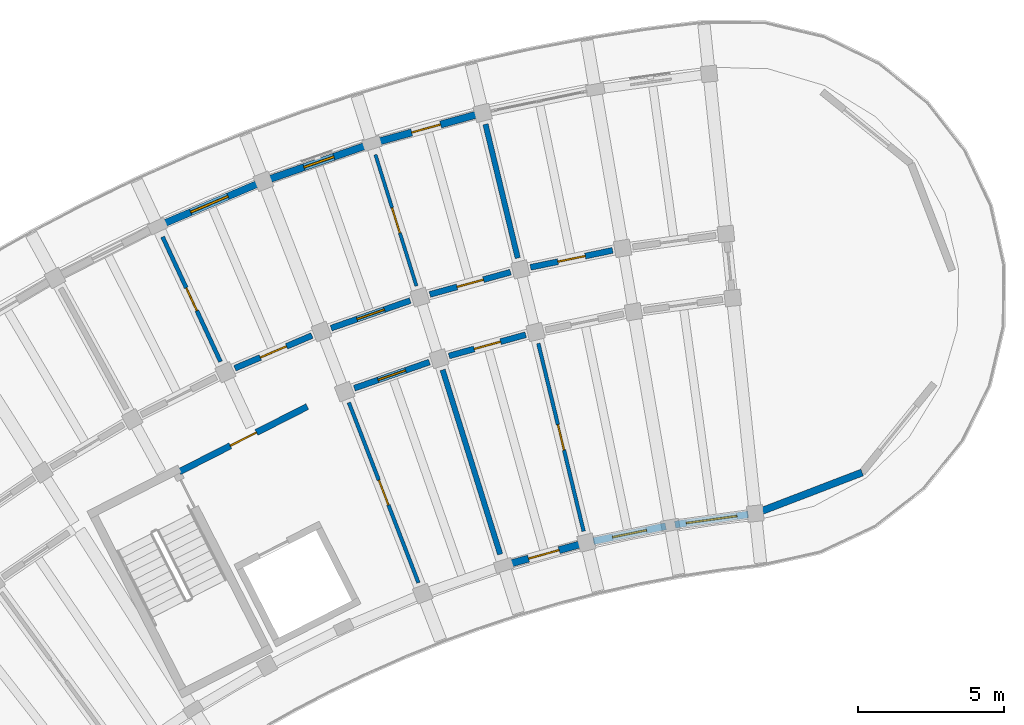
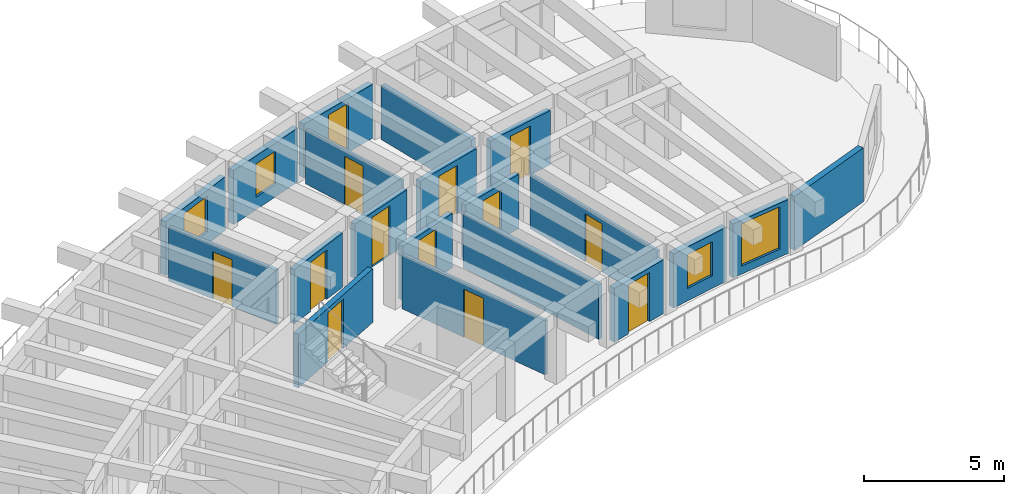
# One storey, part 49 of 81: 20 walls, 13 doors, 4 windows, 17 openings.
"""IFC4 building model written with IfcOpenShell, lengths in metres."""

from ifc_helpers import new_model, si_unit, direction, frame, frame_2d, origin, place, context, subcontext, project, spatial, rectangle, extrude, material, layer, layer_set, type_object, element, fill, save


model = new_model("IFC4")

# Units and contexts
model_context = context("Model", 3, precision=1e-05, world=origin(), true_north=direction((0.0, 1.0)))
body_context = subcontext(model_context, "Body", "Model", "MODEL_VIEW")
ifc_project = project(units=[si_unit("LENGTHUNIT", "METRE"), si_unit("AREAUNIT", "SQUARE_METRE"), si_unit("VOLUMEUNIT", "CUBIC_METRE"), si_unit("PLANEANGLEUNIT", "RADIAN"), si_unit("MASSUNIT", "GRAM", prefix="KILO")], contexts=[model_context])

# Site, building, storey
site_placement = place(None, origin())
site = spatial("IfcSite", under=ifc_project, at=site_placement, CompositionType="ELEMENT")
building_placement = place(site_placement, origin())
building = spatial("IfcBuilding", under=site, at=building_placement, Name="Tanwirah Colonnade Gardens", CompositionType="ELEMENT")
storey_placement = place(building_placement, frame((0.0, 0.0, 18.919921875)))
storey = spatial("IfcBuildingStorey", under=building, at=storey_placement, Name="L05", CompositionType="ELEMENT", Elevation=18.919921875)

# Wall, opening, window
ifc_material_1 = material(Name="Limestone architectural precast concrete C40/50", Category="masonry")
ifc_layer_1 = layer(ifc_material_1, 0.2451171875)
ifc_layer_set_1 = layer_set([ifc_layer_1], Name="Limestone architectural precast concrete C40/50")
wall_type_1 = type_object("IfcWallType", Name="EW-PC245", PredefinedType="SOLIDWALL", material=ifc_layer_set_1)
wall_1_placement = place(storey_placement, frame((60.111083984375, 104.372802734375, 0.0), z_axis=(0.0, 0.0, 1.0), x_axis=(-0.990545622952, -0.13718370476, 0.0)))
wall_1 = element("IfcWall", 1, at=wall_1_placement, inside=storey, type_object=wall_type_1, Name="Block A L05 IN Precast Facade Wall 0", PredefinedType="SOLIDWALL", context=body_context, shape_type="SweptSolid", body=[
    extrude(rectangle(XDim=2.525390625, YDim=0.2451171875, at=frame_2d((1.2626953125, 0.0))), origin(), (0.0, 0.0, 1.0), 2.35498046875),
])
opening_1_placement = place(wall_1_placement, frame((0.3876953125, 0.0, 0.35009765625)))
opening_1 = element("IfcOpeningElement", 2, at=opening_1_placement, cuts=wall_1, Name="Opening WIN-T13", PredefinedType="OPENING", context=body_context, shape_type="SweptSolid", body=[
    extrude(rectangle(XDim=1.75, YDim=1.85009765625, at=frame_2d((0.875, 0.925048828125))), frame((0.0, 0.132568359375, 0.0), z_axis=(0.0, -1.0, 0.0), x_axis=(1.0, 0.0, 0.0)), (0.0, 0.0, 1.0), 0.26513671875),
])
ifc_material_2 = material(Name="Thermally broken bronze aluminium and solar low-E double glazing", Category="aluminium")
window_type_1 = type_object("IfcWindowType", Name="WIN-T13", PartitioningType="TRIPLE_PANEL_VERTICAL", PredefinedType="WINDOW", material=ifc_material_2)
window_1_placement = place(opening_1_placement, origin())
window_1 = element("IfcWindow", 3, at=window_1_placement, inside=storey, type_object=window_type_1, Name="Facade window A-L05-IN-00", OverallHeight=1.85009765625, OverallWidth=1.75, PartitioningType="SINGLE_PANEL", PredefinedType="WINDOW", context=body_context, shape_type="SweptSolid", body=[
    extrude(rectangle(XDim=1.75, YDim=1.85009765625, at=frame_2d((0.875, 0.925048828125))), frame((0.0, 0.030029296875, 0.0), z_axis=(0.0, -1.0, 0.0), x_axis=(1.0, 0.0, 0.0)), (0.0, 0.0, 1.0), 0.06005859375),
])
fill(opening_1, window_1)

wall_2_placement = place(storey_placement, frame((57.29443359375, 103.971923828125, 0.0), z_axis=(0.0, 0.0, 1.0), x_axis=(-0.979334432394, -0.20224754517, 0.0)))
wall_2 = element("IfcWall", 4, at=wall_2_placement, inside=storey, type_object=wall_type_1, Name="Block A L05 IN Precast Facade Wall 1", PredefinedType="SOLIDWALL", context=body_context, shape_type="SweptSolid", body=[
    extrude(rectangle(XDim=2.525390625, YDim=0.2451171875, at=frame_2d((1.2626953125, 0.0))), origin(), (0.0, 0.0, 1.0), 2.35498046875),
])
opening_2_placement = place(wall_2_placement, frame((0.672607421875, 0.0, 0.550048828125)))
opening_2 = element("IfcOpeningElement", 5, at=opening_2_placement, cuts=wall_2, Name="Opening WIN-T16", PredefinedType="OPENING", context=body_context, shape_type="SweptSolid", body=[
    extrude(rectangle(XDim=1.179931640625, YDim=1.47998046875, at=frame_2d((0.58984375, 0.739990234375))), frame((0.0, 0.132568359375, 0.0), z_axis=(0.0, -1.0, 0.0), x_axis=(1.0, 0.0, 0.0)), (0.0, 0.0, 1.0), 0.26513671875),
])
window_type_2 = type_object("IfcWindowType", Name="WIN-T16", PartitioningType="SINGLE_PANEL", PredefinedType="WINDOW", material=ifc_material_2)
window_2_placement = place(opening_2_placement, origin())
window_2 = element("IfcWindow", 6, at=window_2_placement, inside=storey, type_object=window_type_2, Name="Facade window A-L05-IN-01", OverallHeight=1.47998046875, OverallWidth=1.179931640625, PartitioningType="SINGLE_PANEL", PredefinedType="WINDOW", context=body_context, shape_type="SweptSolid", body=[
    extrude(rectangle(XDim=1.179931640625, YDim=1.47998046875, at=frame_2d((0.58984375, 0.739990234375))), frame((0.0, 0.030029296875, 0.0), z_axis=(0.0, -1.0, 0.0), x_axis=(1.0, 0.0, 0.0)), (0.0, 0.0, 1.0), 0.06005859375),
])
fill(opening_2, window_2)

# Wall, opening, door
wall_3_placement = place(storey_placement, frame((50.80615234375, 118.02587890625, 0.0), z_axis=(0.0, 0.0, 1.0), x_axis=(-0.963899390209, -0.266266718826, 0.0)))
wall_3 = element("IfcWall", 7, at=wall_3_placement, inside=storey, type_object=wall_type_1, Name="Block A L05 OUT Precast Facade Wall 2", PredefinedType="SOLIDWALL", context=body_context, shape_type="SweptSolid", body=[
    extrude(rectangle(XDim=3.52099609375, YDim=0.2451171875, at=frame_2d((1.760498046875, 0.0))), origin(), (0.0, 0.0, 1.0), 2.35498046875),
])
opening_3_placement = place(wall_3_placement, frame((1.25048828125, 0.0, 0.0)))
opening_3 = element("IfcOpeningElement", 8, at=opening_3_placement, cuts=wall_3, Name="Opening L05-ED022", PredefinedType="OPENING", context=body_context, shape_type="SweptSolid", body=[
    extrude(rectangle(XDim=1.02001953125, YDim=2.139892578125, at=frame_2d((0.510009765625, 1.06982421875))), frame((0.0, 0.132568359375, 0.0), z_axis=(0.0, -1.0, 0.0), x_axis=(1.0, 0.0, 0.0)), (0.0, 0.0, 1.0), 0.26513671875),
])
ifc_material_3 = material(Name="Bronze aluminium glazed balcony door", Category="aluminium")
door_type_1 = type_object("IfcDoorType", Name="ED-BAL102", OperationType="NOTDEFINED", PredefinedType="DOOR", material=ifc_material_3)
door_1_placement = place(opening_3_placement, origin())
door_1 = element("IfcDoor", 9, at=door_1_placement, inside=storey, type_object=door_type_1, Name="Balcony glazed door L05-ED022", OperationType="SINGLE_SWING_RIGHT", OverallHeight=2.139892578125, OverallWidth=1.02001953125, PredefinedType="DOOR", context=body_context, shape_type="SweptSolid", body=[
    extrude(rectangle(XDim=1.02001953125, YDim=2.139892578125, at=frame_2d((0.510009765625, 1.06982421875))), frame((0.0, 0.02490234375, 0.0), z_axis=(0.0, -1.0, 0.0), x_axis=(1.0, 0.0, 0.0)), (0.0, 0.0, 1.0), 0.050048828125),
])
fill(opening_3, door_1)

wall_4_placement = place(storey_placement, frame((54.34521484375, 103.346435546875, 0.0), z_axis=(0.0, 0.0, 1.0), x_axis=(-0.963901971286, -0.266257375017, 0.0)))
wall_4 = element("IfcWall", 10, at=wall_4_placement, inside=storey, type_object=wall_type_1, Name="Block A L05 IN Precast Facade Wall 2", PredefinedType="SOLIDWALL", context=body_context, shape_type="SweptSolid", body=[
    extrude(rectangle(XDim=2.525146484375, YDim=0.2451171875, at=frame_2d((1.2626953125, 0.0))), origin(), (0.0, 0.0, 1.0), 2.35498046875),
])
opening_4_placement = place(wall_4_placement, frame((0.72265625, 0.0, 0.0)))
opening_4 = element("IfcOpeningElement", 11, at=opening_4_placement, cuts=wall_4, Name="Opening L05-ED023", PredefinedType="OPENING", context=body_context, shape_type="SweptSolid", body=[
    extrude(rectangle(XDim=1.080078125, YDim=2.14990234375, at=frame_2d((0.5400390625, 1.074951171875))), frame((0.0, 0.132568359375, 0.0), z_axis=(0.0, -1.0, 0.0), x_axis=(1.0, 0.0, 0.0)), (0.0, 0.0, 1.0), 0.26513671875),
])
door_type_2 = type_object("IfcDoorType", Name="ED-BAL108", OperationType="NOTDEFINED", PredefinedType="DOOR", material=ifc_material_3)
door_2_placement = place(opening_4_placement, origin())
door_2 = element("IfcDoor", 12, at=door_2_placement, inside=storey, type_object=door_type_2, Name="Balcony glazed door L05-ED023", OperationType="SINGLE_SWING_RIGHT", OverallHeight=2.14990234375, OverallWidth=1.080078125, PredefinedType="DOOR", context=body_context, shape_type="SweptSolid", body=[
    extrude(rectangle(XDim=1.080078125, YDim=2.14990234375, at=frame_2d((0.5400390625, 1.074951171875))), frame((0.0, 0.02490234375, 0.0), z_axis=(0.0, -1.0, 0.0), x_axis=(1.0, 0.0, 0.0)), (0.0, 0.0, 1.0), 0.050048828125),
])
fill(opening_4, door_2)

# Wall, opening, window
wall_5_placement = place(storey_placement, frame((47.107177734375, 116.992919921875, 0.0), z_axis=(0.0, 0.0, 1.0), x_axis=(-0.944267366677, -0.329179495455, 0.0)))
wall_5 = element("IfcWall", 13, at=wall_5_placement, inside=storey, type_object=wall_type_1, Name="Block A L05 OUT Precast Facade Wall 3", PredefinedType="SOLIDWALL", context=body_context, shape_type="SweptSolid", body=[
    extrude(rectangle(XDim=3.520751953125, YDim=0.2451171875, at=frame_2d((1.76025390625, 0.0))), origin(), (0.0, 0.0, 1.0), 2.35498046875),
])
opening_5_placement = place(wall_5_placement, frame((1.22021484375, 0.0, 0.550048828125)))
opening_5 = element("IfcOpeningElement", 14, at=opening_5_placement, cuts=wall_5, Name="Opening WIN-T15", PredefinedType="OPENING", context=body_context, shape_type="SweptSolid", body=[
    extrude(rectangle(XDim=1.080078125, YDim=1.449951171875, at=frame_2d((0.5400390625, 0.72509765625))), frame((0.0, 0.132568359375, 0.0), z_axis=(0.0, -1.0, 0.0), x_axis=(1.0, 0.0, 0.0)), (0.0, 0.0, 1.0), 0.26513671875),
])
window_type_3 = type_object("IfcWindowType", Name="WIN-T15", PartitioningType="SINGLE_PANEL", PredefinedType="WINDOW", material=ifc_material_2)
window_3_placement = place(opening_5_placement, origin())
window_3 = element("IfcWindow", 15, at=window_3_placement, inside=storey, type_object=window_type_3, Name="Facade window A-L05-OUT-03", OverallHeight=1.449951171875, OverallWidth=1.080078125, PartitioningType="SINGLE_PANEL", PredefinedType="WINDOW", context=body_context, shape_type="SweptSolid", body=[
    extrude(rectangle(XDim=1.080078125, YDim=1.449951171875, at=frame_2d((0.5400390625, 0.72509765625))), frame((0.0, 0.030029296875, 0.0), z_axis=(0.0, -1.0, 0.0), x_axis=(1.0, 0.0, 0.0)), (0.0, 0.0, 1.0), 0.06005859375),
])
fill(opening_5, window_3)

wall_6_placement = place(storey_placement, frame((43.325927734375, 115.657470703125, 0.0), z_axis=(0.0, 0.0, 1.0), x_axis=(-0.920502438884, -0.390736816807, 0.0)))
wall_6 = element("IfcWall", 16, at=wall_6_placement, inside=storey, type_object=wall_type_1, Name="Block A L05 OUT Precast Facade Wall 4", PredefinedType="SOLIDWALL", context=body_context, shape_type="SweptSolid", body=[
    extrude(rectangle(XDim=3.520751953125, YDim=0.2451171875, at=frame_2d((1.76025390625, 0.0))), origin(), (0.0, 0.0, 1.0), 2.35498046875),
])
opening_6_placement = place(wall_6_placement, frame((1.0703125, 0.0, 0.550048828125)))
opening_6 = element("IfcOpeningElement", 17, at=opening_6_placement, cuts=wall_6, Name="Opening WIN-T18", PredefinedType="OPENING", context=body_context, shape_type="SweptSolid", body=[
    extrude(rectangle(XDim=1.3798828125, YDim=1.56005859375, at=frame_2d((0.68994140625, 0.780029296875))), frame((0.0, 0.132568359375, 0.0), z_axis=(0.0, -1.0, 0.0), x_axis=(1.0, 0.0, 0.0)), (0.0, 0.0, 1.0), 0.26513671875),
])
window_type_4 = type_object("IfcWindowType", Name="WIN-T18", PartitioningType="DOUBLE_PANEL_VERTICAL", PredefinedType="WINDOW", material=ifc_material_2)
window_4_placement = place(opening_6_placement, origin())
window_4 = element("IfcWindow", 18, at=window_4_placement, inside=storey, type_object=window_type_4, Name="Facade window A-L05-OUT-04", OverallHeight=1.56005859375, OverallWidth=1.3798828125, PartitioningType="SINGLE_PANEL", PredefinedType="WINDOW", context=body_context, shape_type="SweptSolid", body=[
    extrude(rectangle(XDim=1.3798828125, YDim=1.56005859375, at=frame_2d((0.68994140625, 0.780029296875))), frame((0.0, 0.030029296875, 0.0), z_axis=(0.0, -1.0, 0.0), x_axis=(1.0, 0.0, 0.0)), (0.0, 0.0, 1.0), 0.06005859375),
])
fill(opening_6, window_4)

# Wall
wall_7_placement = place(storey_placement, frame((64.002197265625, 105.80712890625, 0.0), z_axis=(0.0, 0.0, 1.0), x_axis=(-0.93356922619, -0.35839712598, 0.0)))
element("IfcWall", 19, at=wall_7_placement, inside=storey, type_object=wall_type_1, Name="Block A L05 START Rounded End Wall 5", PredefinedType="SOLIDWALL", context=body_context, shape_type="SweptSolid", body=[
    extrude(rectangle(XDim=3.907958984375, YDim=0.2451171875, at=frame_2d((1.9541015625, 0.0))), origin(), (0.0, 0.0, 1.0), 2.35498046875),
])

# Wall, opening, door
ifc_material_4 = material(Name="Precast concrete C40/50", Category="concrete")
ifc_layer_2 = layer(ifc_material_4, 0.205078125)
ifc_layer_set_2 = layer_set([ifc_layer_2], Name="Precast concrete C40/50")
wall_type_2 = type_object("IfcWallType", Name="IW-CORR205", PredefinedType="PARTITIONING", material=ifc_layer_set_2)
wall_8_placement = place(storey_placement, frame((55.47802734375, 113.39404296875, 0.0), z_axis=(0.0, 0.0, 1.0), x_axis=(-0.979348418612, -0.202179808492, 0.0)))
wall_8 = element("IfcWall", 20, at=wall_8_placement, inside=storey, type_object=wall_type_2, Name="Block A L05 OUT Corridor Wall 1", PredefinedType="PARTITIONING", context=body_context, shape_type="SweptSolid", body=[
    extrude(rectangle(XDim=2.863037109375, YDim=0.205078125, at=frame_2d((1.431640625, 0.0))), origin(), (0.0, 0.0, 1.0), 2.3701171875),
])
opening_7_placement = place(wall_8_placement, frame((0.95654296875, 0.0, 0.0)))
opening_7 = element("IfcOpeningElement", 21, at=opening_7_placement, cuts=wall_8, Name="Opening L05-AD433", PredefinedType="OPENING", context=body_context, shape_type="SweptSolid", body=[
    extrude(rectangle(XDim=0.949951171875, YDim=2.1298828125, at=frame_2d((0.47509765625, 1.06494140625))), frame((0.0, 0.112548828125, 0.0), z_axis=(0.0, -1.0, 0.0), x_axis=(1.0, 0.0, 0.0)), (0.0, 0.0, 1.0), 0.22509765625),
])
ifc_material_5 = material(Name="Solid oak fire-resisting apartment entrance door")
door_type_3 = type_object("IfcDoorType", Name="ID-FLT095", OperationType="NOTDEFINED", PredefinedType="DOOR", material=ifc_material_5)
door_3_placement = place(opening_7_placement, origin())
door_3 = element("IfcDoor", 22, at=door_3_placement, inside=storey, type_object=door_type_3, Name="Apartment corridor door L05-AD433", OperationType="SINGLE_SWING_LEFT", OverallHeight=2.1298828125, OverallWidth=0.949951171875, PredefinedType="DOOR", context=body_context, shape_type="SweptSolid", body=[
    extrude(rectangle(XDim=0.949951171875, YDim=2.1298828125, at=frame_2d((0.47509765625, 1.06494140625))), frame((0.0, 0.02490234375, 0.0), z_axis=(0.0, -1.0, 0.0), x_axis=(1.0, 0.0, 0.0)), (0.0, 0.0, 1.0), 0.050048828125),
])
fill(opening_7, door_3)

wall_9_placement = place(storey_placement, frame((51.993896484375, 112.651123046875, 0.0), z_axis=(0.0, 0.0, 1.0), x_axis=(-0.963890789093, -0.266297853356, 0.0)))
wall_9 = element("IfcWall", 23, at=wall_9_placement, inside=storey, type_object=wall_type_2, Name="Block A L05 OUT Corridor Wall 2", PredefinedType="PARTITIONING", context=body_context, shape_type="SweptSolid", body=[
    extrude(rectangle(XDim=2.863037109375, YDim=0.205078125, at=frame_2d((1.431640625, 0.0))), origin(), (0.0, 0.0, 1.0), 2.3701171875),
])
opening_8_placement = place(wall_9_placement, frame((0.966552734375, 0.0, 0.0)))
opening_8 = element("IfcOpeningElement", 24, at=opening_8_placement, cuts=wall_9, Name="Opening L05-AD436", PredefinedType="OPENING", context=body_context, shape_type="SweptSolid", body=[
    extrude(rectangle(XDim=0.929931640625, YDim=2.1201171875, at=frame_2d((0.46484375, 1.06005859375))), frame((0.0, 0.112548828125, 0.0), z_axis=(0.0, -1.0, 0.0), x_axis=(1.0, 0.0, 0.0)), (0.0, 0.0, 1.0), 0.22509765625),
])
door_type_4 = type_object("IfcDoorType", Name="ID-FLT093", OperationType="NOTDEFINED", PredefinedType="DOOR", material=ifc_material_5)
door_4_placement = place(opening_8_placement, origin())
door_4 = element("IfcDoor", 25, at=door_4_placement, inside=storey, type_object=door_type_4, Name="Apartment corridor door L05-AD436", OperationType="SINGLE_SWING_RIGHT", OverallHeight=2.1201171875, OverallWidth=0.929931640625, PredefinedType="DOOR", context=body_context, shape_type="SweptSolid", body=[
    extrude(rectangle(XDim=0.929931640625, YDim=2.1201171875, at=frame_2d((0.46484375, 1.06005859375))), frame((0.0, 0.02490234375, 0.0), z_axis=(0.0, -1.0, 0.0), x_axis=(1.0, 0.0, 0.0)), (0.0, 0.0, 1.0), 0.050048828125),
])
fill(opening_8, door_4)

wall_10_placement = place(storey_placement, frame((52.509521484375, 110.512451171875, 0.0), z_axis=(0.0, 0.0, 1.0), x_axis=(-0.96388375821, -0.266323301006, 0.0)))
wall_10 = element("IfcWall", 26, at=wall_10_placement, inside=storey, type_object=wall_type_2, Name="Block A L05 IN Corridor Wall 2", PredefinedType="PARTITIONING", context=body_context, shape_type="SweptSolid", body=[
    extrude(rectangle(XDim=2.718017578125, YDim=0.205078125, at=frame_2d((1.35888671875, 0.0))), origin(), (0.0, 0.0, 1.0), 2.3701171875),
])
opening_9_placement = place(wall_10_placement, frame((0.89404296875, 0.0, 0.0)))
opening_9 = element("IfcOpeningElement", 27, at=opening_9_placement, cuts=wall_10, Name="Opening L05-AD437", PredefinedType="OPENING", context=body_context, shape_type="SweptSolid", body=[
    extrude(rectangle(XDim=0.929931640625, YDim=2.1201171875, at=frame_2d((0.46484375, 1.06005859375))), frame((0.0, 0.112548828125, 0.0), z_axis=(0.0, -1.0, 0.0), x_axis=(1.0, 0.0, 0.0)), (0.0, 0.0, 1.0), 0.22509765625),
])
door_5_placement = place(opening_9_placement, origin())
door_5 = element("IfcDoor", 28, at=door_5_placement, inside=storey, type_object=door_type_4, Name="Apartment corridor door L05-AD437", OperationType="SINGLE_SWING_LEFT", OverallHeight=2.1201171875, OverallWidth=0.929931640625, PredefinedType="DOOR", context=body_context, shape_type="SweptSolid", body=[
    extrude(rectangle(XDim=0.929931640625, YDim=2.1201171875, at=frame_2d((0.46484375, 1.06005859375))), frame((0.0, 0.02490234375, 0.0), z_axis=(0.0, -1.0, 0.0), x_axis=(1.0, 0.0, 0.0)), (0.0, 0.0, 1.0), 0.050048828125),
])
fill(opening_9, door_5)

wall_11_placement = place(storey_placement, frame((48.56640625, 111.68017578125, 0.0), z_axis=(0.0, 0.0, 1.0), x_axis=(-0.944253820929, -0.329218349522, 0.0)))
wall_11 = element("IfcWall", 29, at=wall_11_placement, inside=storey, type_object=wall_type_2, Name="Block A L05 OUT Corridor Wall 3", PredefinedType="PARTITIONING", context=body_context, shape_type="SweptSolid", body=[
    extrude(rectangle(XDim=2.86328125, YDim=0.205078125, at=frame_2d((1.431640625, 0.0))), origin(), (0.0, 0.0, 1.0), 2.3701171875),
])
opening_10_placement = place(wall_11_placement, frame((0.9365234375, 0.0, 0.0)))
opening_10 = element("IfcOpeningElement", 30, at=opening_10_placement, cuts=wall_11, Name="Opening L05-AD439", PredefinedType="OPENING", context=body_context, shape_type="SweptSolid", body=[
    extrude(rectangle(XDim=0.989990234375, YDim=2.159912109375, at=frame_2d((0.4951171875, 1.080078125))), frame((0.0, 0.112548828125, 0.0), z_axis=(0.0, -1.0, 0.0), x_axis=(1.0, 0.0, 0.0)), (0.0, 0.0, 1.0), 0.22509765625),
])
door_type_5 = type_object("IfcDoorType", Name="ID-FLT099", OperationType="NOTDEFINED", PredefinedType="DOOR", material=ifc_material_5)
door_6_placement = place(opening_10_placement, origin())
door_6 = element("IfcDoor", 31, at=door_6_placement, inside=storey, type_object=door_type_5, Name="Apartment corridor door L05-AD439", OperationType="SINGLE_SWING_LEFT", OverallHeight=2.159912109375, OverallWidth=0.989990234375, PredefinedType="DOOR", context=body_context, shape_type="SweptSolid", body=[
    extrude(rectangle(XDim=0.989990234375, YDim=2.159912109375, at=frame_2d((0.4951171875, 1.080078125))), frame((0.0, 0.02490234375, 0.0), z_axis=(0.0, -1.0, 0.0), x_axis=(1.0, 0.0, 0.0)), (0.0, 0.0, 1.0), 0.050048828125),
])
fill(opening_10, door_6)

wall_12_placement = place(storey_placement, frame((49.221923828125, 109.580078125, 0.0), z_axis=(0.0, 0.0, 1.0), x_axis=(-0.944265123647, -0.329185929627, 0.0)))
wall_12 = element("IfcWall", 32, at=wall_12_placement, inside=storey, type_object=wall_type_2, Name="Block A L05 IN Corridor Wall 3", PredefinedType="PARTITIONING", context=body_context, shape_type="SweptSolid", body=[
    extrude(rectangle(XDim=2.71826171875, YDim=0.205078125, at=frame_2d((1.359130859375, 0.0))), origin(), (0.0, 0.0, 1.0), 2.3701171875),
])
opening_11_placement = place(wall_12_placement, frame((0.864013671875, 0.0, 0.0)))
opening_11 = element("IfcOpeningElement", 33, at=opening_11_placement, cuts=wall_12, Name="Opening L05-AD440", PredefinedType="OPENING", context=body_context, shape_type="SweptSolid", body=[
    extrude(rectangle(XDim=0.989990234375, YDim=2.159912109375, at=frame_2d((0.4951171875, 1.080078125))), frame((0.0, 0.112548828125, 0.0), z_axis=(0.0, -1.0, 0.0), x_axis=(1.0, 0.0, 0.0)), (0.0, 0.0, 1.0), 0.22509765625),
])
door_7_placement = place(opening_11_placement, origin())
door_7 = element("IfcDoor", 34, at=door_7_placement, inside=storey, type_object=door_type_5, Name="Apartment corridor door L05-AD440", OperationType="SINGLE_SWING_RIGHT", OverallHeight=2.159912109375, OverallWidth=0.989990234375, PredefinedType="DOOR", context=body_context, shape_type="SweptSolid", body=[
    extrude(rectangle(XDim=0.989990234375, YDim=2.159912109375, at=frame_2d((0.4951171875, 1.080078125))), frame((0.0, 0.02490234375, 0.0), z_axis=(0.0, -1.0, 0.0), x_axis=(1.0, 0.0, 0.0)), (0.0, 0.0, 1.0), 0.050048828125),
])
fill(opening_11, door_7)

wall_13_placement = place(storey_placement, frame((45.210205078125, 110.485595703125, 0.0), z_axis=(0.0, 0.0, 1.0), x_axis=(-0.920511160294, -0.390716270168, 0.0)))
wall_13 = element("IfcWall", 35, at=wall_13_placement, inside=storey, type_object=wall_type_2, Name="Block A L05 OUT Corridor Wall 4", PredefinedType="PARTITIONING", context=body_context, shape_type="SweptSolid", body=[
    extrude(rectangle(XDim=2.863037109375, YDim=0.205078125, at=frame_2d((1.431640625, 0.0))), origin(), (0.0, 0.0, 1.0), 2.3701171875),
])
opening_12_placement = place(wall_13_placement, frame((0.946533203125, 0.0, 0.0)))
opening_12 = element("IfcOpeningElement", 36, at=opening_12_placement, cuts=wall_13, Name="Opening L05-AD442", PredefinedType="OPENING", context=body_context, shape_type="SweptSolid", body=[
    extrude(rectangle(XDim=0.969970703125, YDim=2.14990234375, at=frame_2d((0.48486328125, 1.074951171875))), frame((0.0, 0.112548828125, 0.0), z_axis=(0.0, -1.0, 0.0), x_axis=(1.0, 0.0, 0.0)), (0.0, 0.0, 1.0), 0.22509765625),
])
door_type_6 = type_object("IfcDoorType", Name="ID-FLT097", OperationType="NOTDEFINED", PredefinedType="DOOR", material=ifc_material_5)
door_8_placement = place(opening_12_placement, origin())
door_8 = element("IfcDoor", 37, at=door_8_placement, inside=storey, type_object=door_type_6, Name="Apartment corridor door L05-AD442", OperationType="SINGLE_SWING_RIGHT", OverallHeight=2.14990234375, OverallWidth=0.969970703125, PredefinedType="DOOR", context=body_context, shape_type="SweptSolid", body=[
    extrude(rectangle(XDim=0.969970703125, YDim=2.14990234375, at=frame_2d((0.48486328125, 1.074951171875))), frame((0.0, 0.02490234375, 0.0), z_axis=(0.0, -1.0, 0.0), x_axis=(1.0, 0.0, 0.0)), (0.0, 0.0, 1.0), 0.050048828125),
])
fill(opening_12, door_8)

# Walls
ifc_layer_3 = layer(ifc_material_4, 0.18505859375)
ifc_layer_set_3 = layer_set([ifc_layer_3], Name="Precast concrete C40/50")
wall_type_3 = type_object("IfcWallType", Name="IW-DEM185", PredefinedType="PARTITIONING", material=ifc_layer_set_3)
wall_14_placement = place(storey_placement, frame((52.237548828125, 113.13330078125, 0.0), z_axis=(0.0, 0.0, 1.0), x_axis=(-0.234386624934, 0.972143461662, 0.0)))
element("IfcWall", 38, at=wall_14_placement, inside=storey, type_object=wall_type_3, Name="Block A L05 Radial Partition 1", PredefinedType="PARTITIONING", context=body_context, shape_type="SweptSolid", body=[
    extrude(rectangle(XDim=4.69970703125, YDim=0.18505859375, at=frame_2d((2.349853515625, 0.0))), origin(), (0.0, 0.0, 1.0), 2.3701171875),
])
wall_15_placement = place(storey_placement, frame((51.637939453125, 103.01318359375, 0.0), z_axis=(0.0, 0.0, 1.0), x_axis=(-0.2979590431, 0.954578655028, 0.0)))
element("IfcWall", 39, at=wall_15_placement, inside=storey, type_object=wall_type_3, Name="Block A L05 Inner Radial Partition 2", PredefinedType="PARTITIONING", context=body_context, shape_type="SweptSolid", body=[
    extrude(rectangle(XDim=6.60009765625, YDim=0.18505859375, at=frame_2d((3.300048828125, 0.0))), origin(), (0.0, 0.0, 1.0), 2.3701171875),
])

# Wall, opening, door
ifc_material_6 = material(Name="Autoclaved aerated masonry blockwork", Category="masonry")
ifc_layer_4 = layer(ifc_material_6, 0.219970703125)
ifc_layer_set_4 = layer_set([ifc_layer_4], Name="Autoclaved aerated masonry blockwork")
wall_type_4 = type_object("IfcWallType", Name="IW-FFL220", PredefinedType="PARTITIONING", material=ifc_layer_set_4)
wall_16_placement = place(storey_placement, frame((40.68212890625, 105.833740234375, 0.0), z_axis=(0.0, 0.0, 1.0), x_axis=(0.891003372311, 0.453996685595, 0.0)))
wall_16 = element("IfcWall", 40, at=wall_16_placement, inside=storey, type_object=wall_type_4, Name="CORE-A1 L05 Enclosed Lobby Fire Wall", PredefinedType="PARTITIONING", context=body_context, shape_type="SweptSolid", body=[
    extrude(rectangle(XDim=4.900146484375, YDim=0.219970703125, at=frame_2d((2.4501953125, 0.0))), origin(), (0.0, 0.0, 1.0), 2.340087890625),
])
opening_13_placement = place(wall_16_placement, frame((1.949951171875, 0.0, 0.0)))
opening_13 = element("IfcOpeningElement", 41, at=opening_13_placement, cuts=wall_16, Name="Opening L05-LD023", PredefinedType="OPENING", context=body_context, shape_type="SweptSolid", body=[
    extrude(rectangle(XDim=1.0, YDim=2.14990234375, at=frame_2d((0.5, 1.074951171875))), frame((0.0, 0.119873046875, 0.0), z_axis=(0.0, -1.0, 0.0), x_axis=(1.0, 0.0, 0.0)), (0.0, 0.0, 1.0), 0.239990234375),
])
ifc_material_7 = material(Name="Acoustic fire-resisting lobby door")
door_type_7 = type_object("IfcDoorType", Name="ID-FFL100", OperationType="NOTDEFINED", PredefinedType="DOOR", material=ifc_material_7)
door_9_placement = place(opening_13_placement, origin())
door_9 = element("IfcDoor", 42, at=door_9_placement, inside=storey, type_object=door_type_7, Name="CORE-A1 L05 Lobby Fire Door L05-LD023", OperationType="SINGLE_SWING_RIGHT", OverallHeight=2.14990234375, OverallWidth=1.0, PredefinedType="DOOR", context=body_context, shape_type="SweptSolid", body=[
    extrude(rectangle(XDim=1.0, YDim=2.14990234375, at=frame_2d((0.5, 1.074951171875))), frame((0.0, 0.02490234375, 0.0), z_axis=(0.0, -1.0, 0.0), x_axis=(1.0, 0.0, 0.0)), (0.0, 0.0, 1.0), 0.050048828125),
])
fill(opening_13, door_9)

ifc_material_8 = material(Name="Acoustic gypsum stud partition")
ifc_layer_5 = layer(ifc_material_8, 0.114990234375)
ifc_layer_set_5 = layer_set([ifc_layer_5], Name="Acoustic gypsum stud partition")
wall_type_5 = type_object("IfcWallType", Name="IW-INT115", PredefinedType="PARTITIONING", material=ifc_layer_set_5)
wall_17_placement = place(storey_placement, frame((48.777587890625, 112.17724609375, 0.0), z_axis=(0.0, 0.0, 1.0), x_axis=(-0.297905254614, 0.954595442726, 0.0)))
wall_17 = element("IfcWall", 43, at=wall_17_placement, inside=storey, type_object=wall_type_5, Name="Block A L05 Radial Partition 2", PredefinedType="PARTITIONING", context=body_context, shape_type="SweptSolid", body=[
    extrude(rectangle(XDim=4.699951171875, YDim=0.114990234375, at=frame_2d((2.35009765625, 0.0))), origin(), (0.0, 0.0, 1.0), 2.3701171875),
])
opening_14_placement = place(wall_17_placement, frame((1.905029296875, 0.0, 0.0)))
opening_14 = element("IfcOpeningElement", 44, at=opening_14_placement, cuts=wall_17, Name="Opening L05-RD438", PredefinedType="OPENING", context=body_context, shape_type="SweptSolid", body=[
    extrude(rectangle(XDim=0.889892578125, YDim=2.10009765625, at=frame_2d((0.44482421875, 1.050048828125))), frame((0.0, 0.0673828125, 0.0), z_axis=(0.0, -1.0, 0.0), x_axis=(1.0, 0.0, 0.0)), (0.0, 0.0, 1.0), 0.135009765625),
])
ifc_material_9 = material(Name="Painted hardwood bedroom door", Category="wood")
door_type_8 = type_object("IfcDoorType", Name="ID-RM089", OperationType="NOTDEFINED", PredefinedType="DOOR", material=ifc_material_9)
door_10_placement = place(opening_14_placement, origin())
door_10 = element("IfcDoor", 45, at=door_10_placement, inside=storey, type_object=door_type_8, Name="Internal apartment door L05-RD438", OperationType="SINGLE_SWING_RIGHT", OverallHeight=2.10009765625, OverallWidth=0.889892578125, PredefinedType="DOOR", context=body_context, shape_type="SweptSolid", body=[
    extrude(rectangle(XDim=0.889892578125, YDim=2.10009765625, at=frame_2d((0.44482421875, 1.050048828125))), frame((0.0, 0.02490234375, 0.0), z_axis=(0.0, -1.0, 0.0), x_axis=(1.0, 0.0, 0.0)), (0.0, 0.0, 1.0), 0.050048828125),
])
fill(opening_14, door_10)

ifc_material_10 = material(Name="Moisture-resistant gypsum stud partition")
ifc_layer_6 = layer(ifc_material_10, 0.125)
ifc_layer_set_6 = layer_set([ifc_layer_6], Name="Moisture-resistant gypsum stud partition")
wall_type_6 = type_object("IfcWallType", Name="IW-INT125", PredefinedType="PARTITIONING", material=ifc_layer_set_6)
wall_18_placement = place(storey_placement, frame((54.48779296875, 103.800537109375, 0.0), z_axis=(0.0, 0.0, 1.0), x_axis=(-0.234406698576, 0.972138621629, 0.0)))
wall_18 = element("IfcWall", 46, at=wall_18_placement, inside=storey, type_object=wall_type_6, Name="Block A L05 Inner Radial Partition 1", PredefinedType="PARTITIONING", context=body_context, shape_type="SweptSolid", body=[
    extrude(rectangle(XDim=6.60009765625, YDim=0.125, at=frame_2d((3.300048828125, 0.0))), origin(), (0.0, 0.0, 1.0), 2.3701171875),
])
opening_15_placement = place(wall_18_placement, frame((2.85498046875, 0.0, 0.0)))
opening_15 = element("IfcOpeningElement", 47, at=opening_15_placement, cuts=wall_18, Name="Opening L05-RD435", PredefinedType="OPENING", context=body_context, shape_type="SweptSolid", body=[
    extrude(rectangle(XDim=0.889892578125, YDim=2.10009765625, at=frame_2d((0.44482421875, 1.050048828125))), frame((0.0, 0.072509765625, 0.0), z_axis=(0.0, -1.0, 0.0), x_axis=(1.0, 0.0, 0.0)), (0.0, 0.0, 1.0), 0.14501953125),
])
door_11_placement = place(opening_15_placement, origin())
door_11 = element("IfcDoor", 48, at=door_11_placement, inside=storey, type_object=door_type_8, Name="Internal apartment door L05-RD435", OperationType="SINGLE_SWING_RIGHT", OverallHeight=2.10009765625, OverallWidth=0.889892578125, PredefinedType="DOOR", context=body_context, shape_type="SweptSolid", body=[
    extrude(rectangle(XDim=0.889892578125, YDim=2.10009765625, at=frame_2d((0.44482421875, 1.050048828125))), frame((0.0, 0.02490234375, 0.0), z_axis=(0.0, -1.0, 0.0), x_axis=(1.0, 0.0, 0.0)), (0.0, 0.0, 1.0), 0.050048828125),
])
fill(opening_15, door_11)

wall_19_placement = place(storey_placement, frame((48.845947265625, 102.039794921875, 0.0), z_axis=(0.0, 0.0, 1.0), x_axis=(-0.360183473608, 0.932881485152, 0.0)))
wall_19 = element("IfcWall", 49, at=wall_19_placement, inside=storey, type_object=wall_type_6, Name="Block A L05 Inner Radial Partition 3", PredefinedType="PARTITIONING", context=body_context, shape_type="SweptSolid", body=[
    extrude(rectangle(XDim=6.599853515625, YDim=0.125, at=frame_2d((3.2998046875, 0.0))), origin(), (0.0, 0.0, 1.0), 2.3701171875),
])
opening_16_placement = place(wall_19_placement, frame((2.844970703125, 0.0, 0.0)))
opening_16 = element("IfcOpeningElement", 50, at=opening_16_placement, cuts=wall_19, Name="Opening L05-RD441", PredefinedType="OPENING", context=body_context, shape_type="SweptSolid", body=[
    extrude(rectangle(XDim=0.909912109375, YDim=2.10009765625, at=frame_2d((0.455078125, 1.050048828125))), frame((0.0, 0.072509765625, 0.0), z_axis=(0.0, -1.0, 0.0), x_axis=(1.0, 0.0, 0.0)), (0.0, 0.0, 1.0), 0.14501953125),
])
ifc_material_11 = material(Name="Painted hardwood internal room door", Category="wood")
door_type_9 = type_object("IfcDoorType", Name="ID-RM091", OperationType="NOTDEFINED", PredefinedType="DOOR", material=ifc_material_11)
door_12_placement = place(opening_16_placement, origin())
door_12 = element("IfcDoor", 51, at=door_12_placement, inside=storey, type_object=door_type_9, Name="Internal apartment door L05-RD441", OperationType="SINGLE_SWING_RIGHT", OverallHeight=2.10009765625, OverallWidth=0.909912109375, PredefinedType="DOOR", context=body_context, shape_type="SweptSolid", body=[
    extrude(rectangle(XDim=0.909912109375, YDim=2.10009765625, at=frame_2d((0.455078125, 1.050048828125))), frame((0.0, 0.02490234375, 0.0), z_axis=(0.0, -1.0, 0.0), x_axis=(1.0, 0.0, 0.0)), (0.0, 0.0, 1.0), 0.050048828125),
])
fill(opening_16, door_12)

ifc_material_12 = material(Name="Water-resistant acoustic plumbing partition")
ifc_layer_7 = layer(ifc_material_12, 0.139892578125)
ifc_layer_set_7 = layer_set([ifc_layer_7], Name="Water-resistant acoustic plumbing partition")
wall_type_7 = type_object("IfcWallType", Name="IW-WET140", PredefinedType="PLUMBINGWALL", material=ifc_layer_set_7)
wall_20_placement = place(storey_placement, frame((42.084228515625, 109.593017578125, 0.0), z_axis=(0.0, 0.0, 1.0), x_axis=(-0.420862519045, 0.907124434718, 0.0)))
wall_20 = element("IfcWall", 52, at=wall_20_placement, inside=storey, type_object=wall_type_7, Name="Block A L05 Radial Partition 4", PredefinedType="PLUMBINGWALL", context=body_context, shape_type="SweptSolid", body=[
    extrude(rectangle(XDim=4.699951171875, YDim=0.139892578125, at=frame_2d((2.35009765625, 0.0))), origin(), (0.0, 0.0, 1.0), 2.3701171875),
])
opening_17_placement = place(wall_20_placement, frame((1.919921875, 0.0, 0.0)))
opening_17 = element("IfcOpeningElement", 53, at=opening_17_placement, cuts=wall_20, Name="Opening L05-RD443", PredefinedType="OPENING", context=body_context, shape_type="SweptSolid", body=[
    extrude(rectangle(XDim=0.860107421875, YDim=2.06005859375, at=frame_2d((0.43017578125, 1.030029296875))), frame((0.0, 0.079833984375, 0.0), z_axis=(0.0, -1.0, 0.0), x_axis=(1.0, 0.0, 0.0)), (0.0, 0.0, 1.0), 0.159912109375),
])
ifc_material_13 = material(Name="Moisture-resistant bathroom door")
door_type_10 = type_object("IfcDoorType", Name="ID-WET086", OperationType="NOTDEFINED", PredefinedType="DOOR", material=ifc_material_13)
door_13_placement = place(opening_17_placement, origin())
door_13 = element("IfcDoor", 54, at=door_13_placement, inside=storey, type_object=door_type_10, Name="Internal apartment door L05-RD443", OperationType="SINGLE_SWING_RIGHT", OverallHeight=2.06005859375, OverallWidth=0.860107421875, PredefinedType="DOOR", context=body_context, shape_type="SweptSolid", body=[
    extrude(rectangle(XDim=0.860107421875, YDim=2.06005859375, at=frame_2d((0.43017578125, 1.030029296875))), frame((0.0, 0.02490234375, 0.0), z_axis=(0.0, -1.0, 0.0), x_axis=(1.0, 0.0, 0.0)), (0.0, 0.0, 1.0), 0.050048828125),
])
fill(opening_17, door_13)

save(model, "model.ifc")
